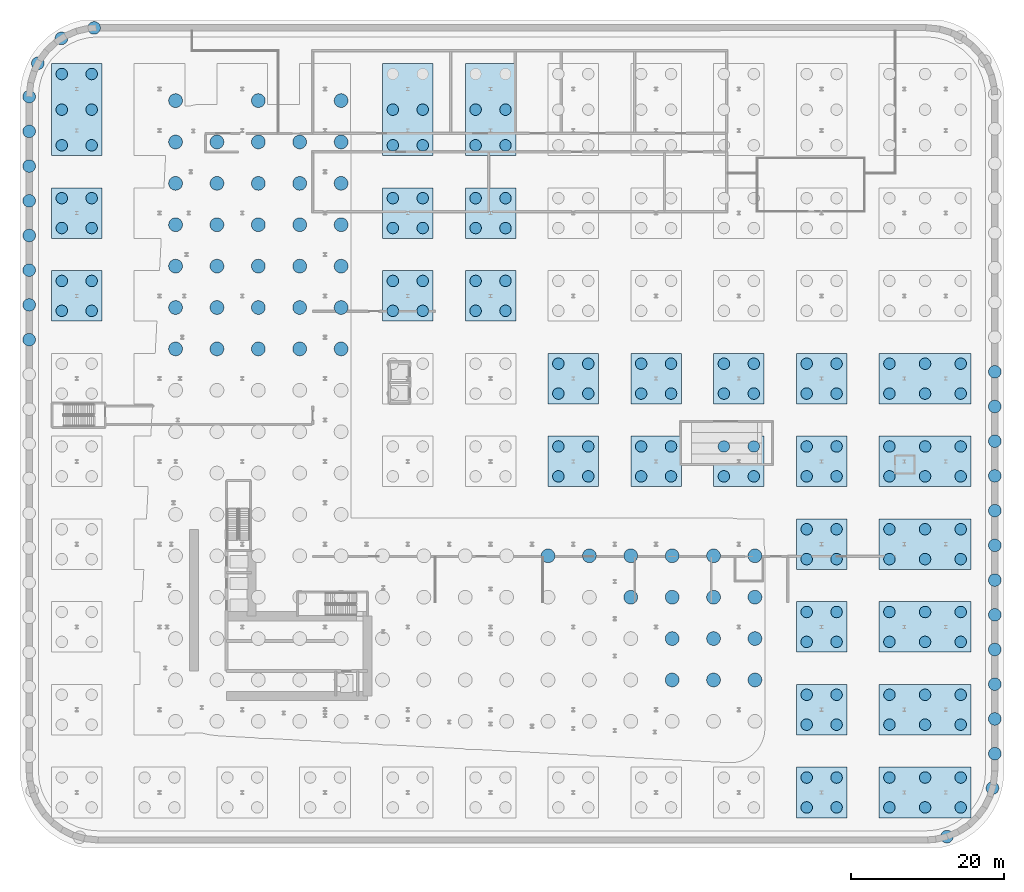
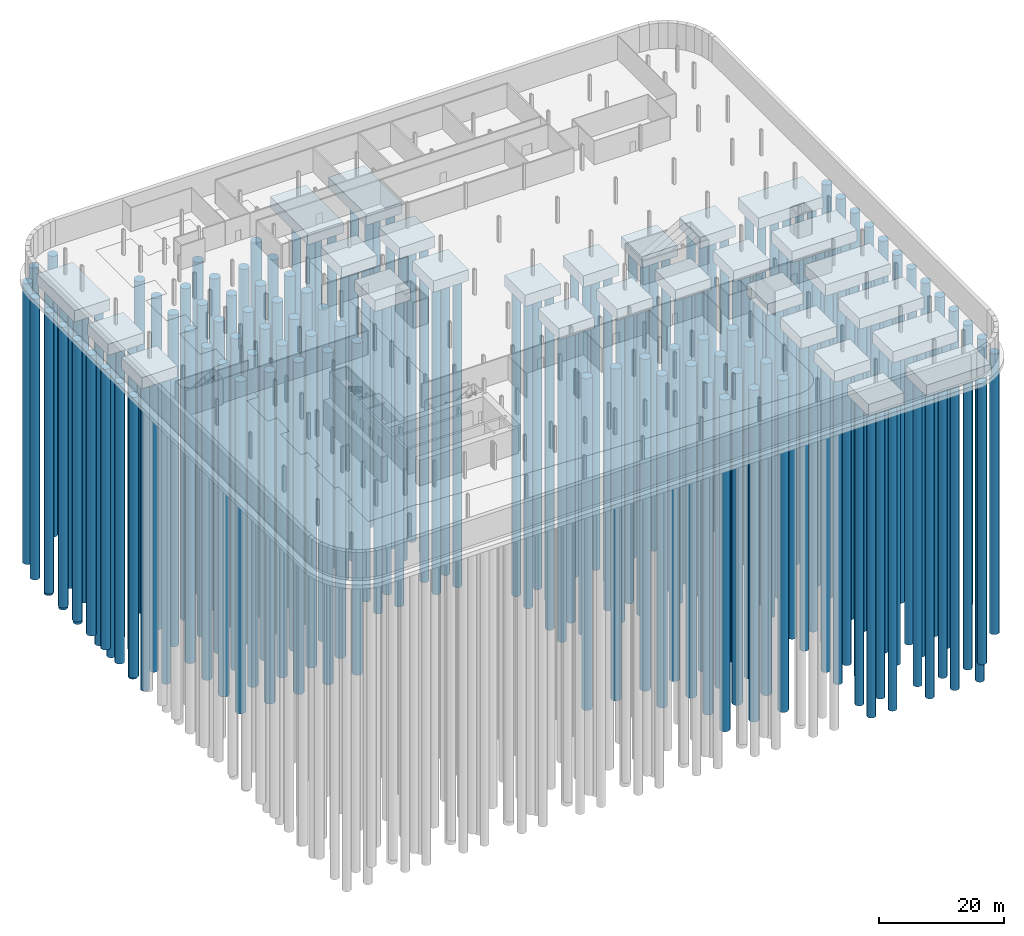
# One storey, part 2 of 23: 196 piles, 27 footings.
"""IFC4 building model written with IfcOpenShell, lengths in metres."""

from ifc_helpers import new_model, si_unit, direction, frame, origin, origin_2d, place, context, subcontext, project, spatial, polyline, rectangle, circle, outline, extrude, material, material_profile, profile_set, type_object, element, save


model = new_model("IFC4")

# Units and contexts
model_context = context("Model", 3, precision=1e-05, world=origin(), true_north=direction((0.0, 1.0)))
body_context = subcontext(model_context, "Body", "Model", "MODEL_VIEW")
ifc_project = project(units=[si_unit("LENGTHUNIT", "METRE"), si_unit("AREAUNIT", "SQUARE_METRE"), si_unit("VOLUMEUNIT", "CUBIC_METRE"), si_unit("PLANEANGLEUNIT", "RADIAN"), si_unit("MASSUNIT", "GRAM", prefix="KILO")], contexts=[model_context])

# Site, building, storey
site_placement = place(None, origin())
site = spatial("IfcSite", under=ifc_project, at=site_placement, CompositionType="ELEMENT")
building_placement = place(site_placement, origin())
building = spatial("IfcBuilding", under=site, at=building_placement, Name="Kheshtan School and Residences Tower", CompositionType="ELEMENT")
storey_placement = place(building_placement, frame((0.0, 0.0, -15.0)))
storey = spatial("IfcBuildingStorey", under=building, at=storey_placement, Name="B3", CompositionType="ELEMENT", Elevation=-15.0)

# Piles
ifc_material_1 = material(Name="Concrete C50/60", Category="concrete")
ifc_material_profile_1 = material_profile(ifc_material_1, circle(Radius=0.75, at=origin_2d()), Name="BP 1500")
ifc_profile_set_1 = profile_set([ifc_material_profile_1], Name="Concrete C50/60")
pile_type_1 = type_object("IfcPileType", Name="Bored pile 1500 Concrete C50/60", PredefinedType="BORED", material=ifc_profile_set_1)
for number, where, z_axis, x_axis, name in (
    (1, (13.25, 76.050048828125, -3.0), (0.0, 0.0, -1.0), (1.0, 0.0, 0.0), "Cap pile C015-1"),
    (2, (17.14990234375, 76.050048828125, -3.0), (0.0, 0.0, -1.0), (1.0, 0.0, 0.0), "Cap pile C015-2"),
    (3, (13.25, 79.949951171875, -3.0), (0.0, 0.0, -1.0), (1.0, 0.0, 0.0), "Cap pile C015-3"),
    (4, (17.14990234375, 79.949951171875, -3.0), (0.0, 0.0, -1.0), (1.0, 0.0, 0.0), "Cap pile C015-4"),
    (5, (56.449951171875, 76.050048828125, -3.0), (0.0, 0.0, -1.0), (1.0, 0.0, 0.0), "Cap pile C016-1"),
    (6, (60.35009765625, 76.050048828125, -3.0), (0.0, 0.0, -1.0), (1.0, 0.0, 0.0), "Cap pile C016-2"),
    (7, (56.449951171875, 79.949951171875, -3.0), (0.0, 0.0, -1.0), (1.0, 0.0, 0.0), "Cap pile C016-3"),
    (8, (60.35009765625, 79.949951171875, -3.0), (0.0, 0.0, -1.0), (1.0, 0.0, 0.0), "Cap pile C016-4"),
    (9, (67.25, 76.050048828125, -3.0), (0.0, 0.0, -1.0), (1.0, 0.0, 0.0), "Cap pile C017-1"),
    (10, (71.14990234375, 76.050048828125, -3.0), (0.0, 0.0, -1.0), (1.0, 0.0, 0.0), "Cap pile C017-2"),
    (11, (67.25, 79.949951171875, -3.0), (0.0, 0.0, -1.0), (1.0, 0.0, 0.0), "Cap pile C017-3"),
    (12, (71.14990234375, 79.949951171875, -3.0), (0.0, 0.0, -1.0), (1.0, 0.0, 0.0), "Cap pile C017-4"),
    (13, (13.25, 86.85009765625, -3.0), (0.0, 0.0, -1.0), (1.0, 0.0, 0.0), "Cap pile C018-1"),
    (14, (17.14990234375, 86.85009765625, -3.0), (0.0, 0.0, -1.0), (1.0, 0.0, 0.0), "Cap pile C018-2"),
    (15, (13.25, 90.75, -3.0), (0.0, 0.0, -1.0), (1.0, 0.0, 0.0), "Cap pile C018-3"),
    (16, (17.14990234375, 90.75, -3.0), (0.0, 0.0, -1.0), (1.0, 0.0, 0.0), "Cap pile C018-4"),
    (17, (56.449951171875, 86.85009765625, -3.0), (0.0, 0.0, -1.0), (1.0, 0.0, 0.0), "Cap pile C019-1"),
    (18, (60.35009765625, 86.85009765625, -3.0), (0.0, 0.0, -1.0), (1.0, 0.0, 0.0), "Cap pile C019-2"),
    (19, (56.449951171875, 90.75, -3.0), (0.0, 0.0, -1.0), (1.0, 0.0, 0.0), "Cap pile C019-3"),
    (20, (60.35009765625, 90.75, -3.0), (0.0, 0.0, -1.0), (1.0, 0.0, 0.0), "Cap pile C019-4"),
    (21, (67.25, 86.85009765625, -3.0), (0.0, 0.0, -1.0), (1.0, 0.0, 0.0), "Cap pile C020-1"),
    (22, (71.14990234375, 86.85009765625, -3.0), (0.0, 0.0, -1.0), (1.0, 0.0, 0.0), "Cap pile C020-2"),
    (23, (67.25, 90.75, -3.0), (0.0, 0.0, -1.0), (1.0, 0.0, 0.0), "Cap pile C020-3"),
    (24, (71.14990234375, 90.75, -3.0), (0.0, 0.0, -1.0), (1.0, 0.0, 0.0), "Cap pile C020-4"),
    (25, (13.25, 97.64990234375, -3.0), (0.0, 0.0, -1.0), (1.0, 0.0, 0.0), "Cap pile C021-1"),
    (26, (17.14990234375, 97.64990234375, -3.0), (0.0, 0.0, -1.0), (1.0, 0.0, 0.0), "Cap pile C021-2"),
    (27, (13.25, 106.949951171875, -3.0), (0.0, 0.0, -1.0), (1.0, 0.0, 0.0), "Cap pile C021-3"),
    (28, (17.14990234375, 106.949951171875, -3.0), (0.0, 0.0, -1.0), (1.0, 0.0, 0.0), "Cap pile C021-4"),
    (29, (13.25, 102.300048828125, -3.0), (0.0, 0.0, -1.0), (1.0, 0.0, 0.0), "Cap pile C021-5"),
    (30, (17.14990234375, 102.300048828125, -3.0), (0.0, 0.0, -1.0), (1.0, 0.0, 0.0), "Cap pile C021-6"),
    (31, (56.449951171875, 97.64990234375, -3.0), (0.0, 0.0, -1.0), (1.0, 0.0, 0.0), "Cap pile C022-1"),
    (32, (60.35009765625, 97.64990234375, -3.0), (0.0, 0.0, -1.0), (1.0, 0.0, 0.0), "Cap pile C022-2"),
    (33, (56.449951171875, 102.300048828125, -3.0), (0.0, 0.0, -1.0), (1.0, 0.0, 0.0), "Cap pile C022-5"),
    (34, (60.35009765625, 102.300048828125, -3.0), (0.0, 0.0, -1.0), (1.0, 0.0, 0.0), "Cap pile C022-6"),
    (35, (67.25, 97.64990234375, -3.0), (0.0, 0.0, -1.0), (1.0, 0.0, 0.0), "Cap pile C023-1"),
    (36, (71.14990234375, 97.64990234375, -3.0), (0.0, 0.0, -1.0), (1.0, 0.0, 0.0), "Cap pile C023-2"),
    (37, (67.25, 102.300048828125, -3.0), (0.0, 0.0, -1.0), (1.0, 0.0, 0.0), "Cap pile C023-5"),
    (38, (71.14990234375, 102.300048828125, -3.0), (0.0, 0.0, -1.0), (1.0, 0.0, 0.0), "Cap pile C023-6"),
    (39, (99.64990234375, 54.449951171875, -3.0), (0.0, 0.0, -1.0), (1.0, 0.0, 0.0), "Cap pile C028-1"),
    (40, (103.550048828125, 54.449951171875, -3.0), (0.0, 0.0, -1.0), (1.0, 0.0, 0.0), "Cap pile C028-2"),
    (41, (99.64990234375, 58.35009765625, -3.0), (0.0, 0.0, -1.0), (1.0, 0.0, 0.0), "Cap pile C028-3"),
    (42, (103.550048828125, 58.35009765625, -3.0), (0.0, 0.0, -1.0), (1.0, 0.0, 0.0), "Cap pile C028-4"),
    (43, (78.050048828125, 54.449951171875, -3.0), (0.0, 0.0, -1.0), (1.0, 0.0, 0.0), "Cap pile C029-1"),
    (44, (81.949951171875, 54.449951171875, -3.0), (0.0, 0.0, -1.0), (1.0, 0.0, 0.0), "Cap pile C029-2"),
    (45, (78.050048828125, 58.35009765625, -3.0), (0.0, 0.0, -1.0), (1.0, 0.0, 0.0), "Cap pile C029-3"),
    (46, (81.949951171875, 58.35009765625, -3.0), (0.0, 0.0, -1.0), (1.0, 0.0, 0.0), "Cap pile C029-4"),
    (47, (88.85009765625, 54.449951171875, -3.0), (0.0, 0.0, -1.0), (1.0, 0.0, 0.0), "Cap pile C030-1"),
    (48, (92.75, 54.449951171875, -3.0), (0.0, 0.0, -1.0), (1.0, 0.0, 0.0), "Cap pile C030-2"),
    (49, (88.85009765625, 58.35009765625, -3.0), (0.0, 0.0, -1.0), (1.0, 0.0, 0.0), "Cap pile C030-3"),
    (50, (92.75, 58.35009765625, -3.0), (0.0, 0.0, -1.0), (1.0, 0.0, 0.0), "Cap pile C030-4"),
    (51, (99.64990234375, 65.25, -3.0), (0.0, 0.0, -1.0), (1.0, 0.0, 0.0), "Cap pile C031-1"),
    (52, (103.550048828125, 65.25, -3.0), (0.0, 0.0, -1.0), (1.0, 0.0, 0.0), "Cap pile C031-2"),
    (53, (99.64990234375, 69.14990234375, -3.0), (0.0, 0.0, -1.0), (1.0, 0.0, 0.0), "Cap pile C031-3"),
    (54, (103.550048828125, 69.14990234375, -3.0), (0.0, 0.0, -1.0), (1.0, 0.0, 0.0), "Cap pile C031-4"),
    (55, (78.050048828125, 65.25, -3.0), (0.0, 0.0, -1.0), (1.0, 0.0, 0.0), "Cap pile C032-1"),
    (56, (81.949951171875, 65.25, -3.0), (0.0, 0.0, -1.0), (1.0, 0.0, 0.0), "Cap pile C032-2"),
    (57, (78.050048828125, 69.14990234375, -3.0), (0.0, 0.0, -1.0), (1.0, 0.0, 0.0), "Cap pile C032-3"),
    (58, (81.949951171875, 69.14990234375, -3.0), (0.0, 0.0, -1.0), (1.0, 0.0, 0.0), "Cap pile C032-4"),
    (59, (88.85009765625, 65.25, -3.0), (0.0, 0.0, -1.0), (1.0, 0.0, 0.0), "Cap pile C033-1"),
    (60, (92.75, 65.25, -3.0), (0.0, 0.0, -1.0), (1.0, 0.0, 0.0), "Cap pile C033-2"),
    (61, (88.85009765625, 69.14990234375, -3.0), (0.0, 0.0, -1.0), (1.0, 0.0, 0.0), "Cap pile C033-3"),
    (62, (92.75, 69.14990234375, -3.0), (0.0, 0.0, -1.0), (1.0, 0.0, 0.0), "Cap pile C033-4"),
    (63, (110.449951171875, 11.25, -3.0), (0.0, 0.0, -1.0), (1.0, 0.0, 0.0), "Cap pile C046-1"),
    (64, (114.35009765625, 11.25, -3.0), (0.0, 0.0, -1.0), (1.0, 0.0, 0.0), "Cap pile C046-2"),
    (65, (110.449951171875, 15.14990234375, -3.0), (0.0, 0.0, -1.0), (1.0, 0.0, 0.0), "Cap pile C046-3"),
    (66, (114.35009765625, 15.14990234375, -3.0), (0.0, 0.0, -1.0), (1.0, 0.0, 0.0), "Cap pile C046-4"),
    (67, (121.25, 11.25, -3.0), (0.0, 0.0, -1.0), (1.0, 0.0, 0.0), "Cap pile C047-1"),
    (68, (121.25, 15.14990234375, -3.0), (0.0, 0.0, -1.0), (1.0, 0.0, 0.0), "Cap pile C047-2"),
    (69, (130.550048828125, 11.25, -3.0), (0.0, 0.0, -1.0), (1.0, 0.0, 0.0), "Cap pile C047-3"),
    (70, (130.550048828125, 15.14990234375, -3.0), (0.0, 0.0, -1.0), (1.0, 0.0, 0.0), "Cap pile C047-4"),
    (71, (125.89990234375, 11.25, -3.0), (0.0, 0.0, -1.0), (1.0, 0.0, 0.0), "Cap pile C047-5"),
    (72, (125.89990234375, 15.14990234375, -3.0), (0.0, 0.0, -1.0), (1.0, 0.0, 0.0), "Cap pile C047-6"),
    (73, (110.449951171875, 22.050048828125, -3.0), (0.0, 0.0, -1.0), (1.0, 0.0, 0.0), "Cap pile C048-1"),
    (74, (114.35009765625, 22.050048828125, -3.0), (0.0, 0.0, -1.0), (1.0, 0.0, 0.0), "Cap pile C048-2"),
    (75, (110.449951171875, 25.949951171875, -3.0), (0.0, 0.0, -1.0), (1.0, 0.0, 0.0), "Cap pile C048-3"),
    (76, (114.35009765625, 25.949951171875, -3.0), (0.0, 0.0, -1.0), (1.0, 0.0, 0.0), "Cap pile C048-4"),
    (77, (121.25, 22.050048828125, -3.0), (0.0, 0.0, -1.0), (1.0, 0.0, 0.0), "Cap pile C049-1"),
    (78, (121.25, 25.949951171875, -3.0), (0.0, 0.0, -1.0), (1.0, 0.0, 0.0), "Cap pile C049-2"),
    (79, (130.550048828125, 22.050048828125, -3.0), (0.0, 0.0, -1.0), (1.0, 0.0, 0.0), "Cap pile C049-3"),
    (80, (130.550048828125, 25.949951171875, -3.0), (0.0, 0.0, -1.0), (1.0, 0.0, 0.0), "Cap pile C049-4"),
    (81, (125.89990234375, 22.050048828125, -3.0), (0.0, 0.0, -1.0), (1.0, 0.0, 0.0), "Cap pile C049-5"),
    (82, (125.89990234375, 25.949951171875, -3.0), (0.0, 0.0, -1.0), (1.0, 0.0, 0.0), "Cap pile C049-6"),
    (83, (110.449951171875, 32.85009765625, -3.0), (0.0, 0.0, -1.0), (1.0, 0.0, 0.0), "Cap pile C050-1"),
    (84, (114.35009765625, 32.85009765625, -3.0), (0.0, 0.0, -1.0), (1.0, 0.0, 0.0), "Cap pile C050-2"),
    (85, (110.449951171875, 36.75, -3.0), (0.0, 0.0, -1.0), (1.0, 0.0, 0.0), "Cap pile C050-3"),
    (86, (114.35009765625, 36.75, -3.0), (0.0, 0.0, -1.0), (1.0, 0.0, 0.0), "Cap pile C050-4"),
    (87, (121.25, 32.85009765625, -3.0), (0.0, 0.0, -1.0), (1.0, 0.0, 0.0), "Cap pile C051-1"),
    (88, (121.25, 36.75, -3.0), (0.0, 0.0, -1.0), (1.0, 0.0, 0.0), "Cap pile C051-2"),
    (89, (130.550048828125, 32.85009765625, -3.0), (0.0, 0.0, -1.0), (1.0, 0.0, 0.0), "Cap pile C051-3"),
    (90, (130.550048828125, 36.75, -3.0), (0.0, 0.0, -1.0), (1.0, 0.0, 0.0), "Cap pile C051-4"),
    (91, (125.89990234375, 32.85009765625, -3.0), (0.0, 0.0, -1.0), (1.0, 0.0, 0.0), "Cap pile C051-5"),
    (92, (125.89990234375, 36.75, -3.0), (0.0, 0.0, -1.0), (1.0, 0.0, 0.0), "Cap pile C051-6"),
    (93, (110.449951171875, 43.64990234375, -3.0), (0.0, 0.0, -1.0), (1.0, 0.0, 0.0), "Cap pile C052-1"),
    (94, (114.35009765625, 43.64990234375, -3.0), (0.0, 0.0, -1.0), (1.0, 0.0, 0.0), "Cap pile C052-2"),
    (95, (110.449951171875, 47.550048828125, -3.0), (0.0, 0.0, -1.0), (1.0, 0.0, 0.0), "Cap pile C052-3"),
    (96, (114.35009765625, 47.550048828125, -3.0), (0.0, 0.0, -1.0), (1.0, 0.0, 0.0), "Cap pile C052-4"),
    (97, (121.25, 43.64990234375, -3.0), (0.0, 0.0, -1.0), (1.0, 0.0, 0.0), "Cap pile C053-1"),
    (98, (121.25, 47.550048828125, -3.0), (0.0, 0.0, -1.0), (1.0, 0.0, 0.0), "Cap pile C053-2"),
    (99, (130.550048828125, 43.64990234375, -3.0), (0.0, 0.0, -1.0), (1.0, 0.0, 0.0), "Cap pile C053-3"),
    (100, (130.550048828125, 47.550048828125, -3.0), (0.0, 0.0, -1.0), (1.0, 0.0, 0.0), "Cap pile C053-4"),
    (101, (125.89990234375, 43.64990234375, -3.0), (0.0, 0.0, -1.0), (1.0, 0.0, 0.0), "Cap pile C053-5"),
    (102, (125.89990234375, 47.550048828125, -3.0), (0.0, 0.0, -1.0), (1.0, 0.0, 0.0), "Cap pile C053-6"),
    (103, (121.25, 54.449951171875, -3.0), (0.0, 0.0, -1.0), (1.0, 0.0, 0.0), "Cap pile C054-1"),
    (104, (121.25, 58.35009765625, -3.0), (0.0, 0.0, -1.0), (1.0, 0.0, 0.0), "Cap pile C054-2"),
    (105, (130.550048828125, 54.449951171875, -3.0), (0.0, 0.0, -1.0), (1.0, 0.0, 0.0), "Cap pile C054-3"),
    (106, (130.550048828125, 58.35009765625, -3.0), (0.0, 0.0, -1.0), (1.0, 0.0, 0.0), "Cap pile C054-4"),
    (107, (125.89990234375, 54.449951171875, -3.0), (0.0, 0.0, -1.0), (1.0, 0.0, 0.0), "Cap pile C054-5"),
    (108, (125.89990234375, 58.35009765625, -3.0), (0.0, 0.0, -1.0), (1.0, 0.0, 0.0), "Cap pile C054-6"),
    (109, (110.449951171875, 54.449951171875, -3.0), (0.0, 0.0, -1.0), (1.0, 0.0, 0.0), "Cap pile C055-1"),
    (110, (114.35009765625, 54.449951171875, -3.0), (0.0, 0.0, -1.0), (1.0, 0.0, 0.0), "Cap pile C055-2"),
    (111, (110.449951171875, 58.35009765625, -3.0), (0.0, 0.0, -1.0), (1.0, 0.0, 0.0), "Cap pile C055-3"),
    (112, (114.35009765625, 58.35009765625, -3.0), (0.0, 0.0, -1.0), (1.0, 0.0, 0.0), "Cap pile C055-4"),
    (113, (121.25, 65.25, -3.0), (0.0, 0.0, -1.0), (1.0, 0.0, 0.0), "Cap pile C056-1"),
    (114, (121.25, 69.14990234375, -3.0), (0.0, 0.0, -1.0), (1.0, 0.0, 0.0), "Cap pile C056-2"),
    (115, (130.550048828125, 65.25, -3.0), (0.0, 0.0, -1.0), (1.0, 0.0, 0.0), "Cap pile C056-3"),
    (116, (130.550048828125, 69.14990234375, -3.0), (0.0, 0.0, -1.0), (1.0, 0.0, 0.0), "Cap pile C056-4"),
    (117, (125.89990234375, 65.25, -3.0), (0.0, 0.0, -1.0), (1.0, 0.0, 0.0), "Cap pile C056-5"),
    (118, (125.89990234375, 69.14990234375, -3.0), (0.0, 0.0, -1.0), (1.0, 0.0, 0.0), "Cap pile C056-6"),
    (119, (110.449951171875, 65.25, -3.0), (0.0, 0.0, -1.0), (1.0, 0.0, 0.0), "Cap pile C057-1"),
    (120, (114.35009765625, 65.25, -3.0), (0.0, 0.0, -1.0), (1.0, 0.0, 0.0), "Cap pile C057-2"),
    (121, (110.449951171875, 69.14990234375, -3.0), (0.0, 0.0, -1.0), (1.0, 0.0, 0.0), "Cap pile C057-3"),
    (122, (114.35009765625, 69.14990234375, -3.0), (0.0, 0.0, -1.0), (1.0, 0.0, 0.0), "Cap pile C057-4"),
):
    element("IfcPile", number, at=place(storey_placement, frame(where, z_axis=z_axis, x_axis=x_axis)), inside=storey, type_object=pile_type_1, Name=name, PredefinedType="BORED", context=body_context, shape_type="SweptSolid", body=[
        extrude(circle(Radius=0.75, at=origin_2d()), origin(), (0.0, 0.0, 1.0), 60.0),
    ])
ifc_material_profile_2 = material_profile(ifc_material_1, circle(Radius=0.824951171875, at=origin_2d()), Name="BP 1650")
ifc_profile_set_2 = profile_set([ifc_material_profile_2], Name="Concrete C50/60")
pile_type_2 = type_object("IfcPileType", Name="Bored pile 1650 Concrete C50/60", PredefinedType="BORED", material=ifc_profile_set_2)
for number, where, z_axis, x_axis, name in (
    (123, (9.0, 104.0, -1.60009765625), (0.0, 0.0, -1.0), (1.0, 0.0, 0.0), "Wall pile W1-000"),
    (124, (10.127197265625, 108.34130859375, -1.60009765625), (0.0, 0.0, -1.0), (1.0, 0.0, 0.0), "Wall pile W1-001"),
    (125, (13.2041015625, 111.6015625, -1.60009765625), (0.0, 0.0, -1.0), (1.0, 0.0, 0.0), "Wall pile W1-002"),
    (126, (17.471435546875, 112.965576171875, -1.60009765625), (0.0, 0.0, -1.0), (1.0, 0.0, 0.0), "Wall pile W1-003"),
    (127, (135.0, 68.09619140625, -1.60009765625), (0.0, 0.0, -1.0), (1.0, 0.0, 0.0), "Wall pile W1-038"),
    (128, (135.0, 63.566162109375, -1.60009765625), (0.0, 0.0, -1.0), (1.0, 0.0, 0.0), "Wall pile W1-039"),
    (129, (135.0, 59.035888671875, -1.60009765625), (0.0, 0.0, -1.0), (1.0, 0.0, 0.0), "Wall pile W1-040"),
    (130, (135.0, 54.505859375, -1.60009765625), (0.0, 0.0, -1.0), (1.0, 0.0, 0.0), "Wall pile W1-041"),
    (131, (135.0, 49.975830078125, -1.60009765625), (0.0, 0.0, -1.0), (1.0, 0.0, 0.0), "Wall pile W1-042"),
    (132, (135.0, 45.44580078125, -1.60009765625), (0.0, 0.0, -1.0), (1.0, 0.0, 0.0), "Wall pile W1-043"),
    (133, (135.0, 40.91552734375, -1.60009765625), (0.0, 0.0, -1.0), (1.0, 0.0, 0.0), "Wall pile W1-044"),
    (134, (135.0, 36.385498046875, -1.60009765625), (0.0, 0.0, -1.0), (1.0, 0.0, 0.0), "Wall pile W1-045"),
    (135, (135.0, 31.85546875, -1.60009765625), (0.0, 0.0, -1.0), (1.0, 0.0, 0.0), "Wall pile W1-046"),
    (136, (135.0, 27.3251953125, -1.60009765625), (0.0, 0.0, -1.0), (1.0, 0.0, 0.0), "Wall pile W1-047"),
    (137, (135.0, 22.795166015625, -1.60009765625), (0.0, 0.0, -1.0), (1.0, 0.0, 0.0), "Wall pile W1-048"),
    (138, (135.0, 18.26513671875, -1.60009765625), (0.0, 0.0, -1.0), (1.0, 0.0, 0.0), "Wall pile W1-049"),
    (139, (134.694580078125, 13.761962890625, -1.60009765625), (0.0, 0.0, -1.0), (1.0, 0.0, 0.0), "Wall pile W1-050"),
    (140, (128.749755859375, 7.442626953125, -1.60009765625), (0.0, 0.0, -1.0), (1.0, 0.0, 0.0), "Wall pile W1-052"),
    (141, (9.0, 72.289306640625, -1.60009765625), (0.0, 0.0, -1.0), (1.0, 0.0, 0.0), "Wall pile W1-092"),
    (142, (9.0, 76.8193359375, -1.60009765625), (0.0, 0.0, -1.0), (1.0, 0.0, 0.0), "Wall pile W1-093"),
    (143, (9.0, 81.349609375, -1.60009765625), (0.0, 0.0, -1.0), (1.0, 0.0, 0.0), "Wall pile W1-094"),
    (144, (9.0, 85.879638671875, -1.60009765625), (0.0, 0.0, -1.0), (1.0, 0.0, 0.0), "Wall pile W1-095"),
    (145, (9.0, 90.40966796875, -1.60009765625), (0.0, 0.0, -1.0), (1.0, 0.0, 0.0), "Wall pile W1-096"),
    (146, (9.0, 94.939697265625, -1.60009765625), (0.0, 0.0, -1.0), (1.0, 0.0, 0.0), "Wall pile W1-097"),
    (147, (9.0, 99.469970703125, -1.60009765625), (0.0, 0.0, -1.0), (1.0, 0.0, 0.0), "Wall pile W1-098"),
):
    element("IfcPile", number, at=place(storey_placement, frame(where, z_axis=z_axis, x_axis=x_axis)), inside=storey, type_object=pile_type_2, Name=name, PredefinedType="BORED", context=body_context, shape_type="SweptSolid", body=[
        extrude(circle(Radius=0.824951171875, at=origin_2d()), origin(), (0.0, 0.0, 1.0), 55.0),
    ])
ifc_material_profile_3 = material_profile(ifc_material_1, circle(Radius=0.89990234375, at=origin_2d()), Name="BP 1800")
ifc_profile_set_3 = profile_set([ifc_material_profile_3], Name="Concrete C50/60")
pile_type_3 = type_object("IfcPileType", Name="Bored pile 1800 Concrete C50/60", PredefinedType="BORED", material=ifc_profile_set_3)
for number, where, z_axis, x_axis, name in (
    (148, (92.89990234375, 27.882080078125, -4.5), (0.0, 0.0, -1.0), (1.0, 0.0, 0.0), "Raft pile R028"),
    (149, (98.300048828125, 27.882080078125, -4.5), (0.0, 0.0, -1.0), (1.0, 0.0, 0.0), "Raft pile R029"),
    (150, (103.699951171875, 27.882080078125, -4.5), (0.0, 0.0, -1.0), (1.0, 0.0, 0.0), "Raft pile R030"),
    (151, (92.89990234375, 33.281982421875, -4.5), (0.0, 0.0, -1.0), (1.0, 0.0, 0.0), "Raft pile R043"),
    (152, (98.300048828125, 33.281982421875, -4.5), (0.0, 0.0, -1.0), (1.0, 0.0, 0.0), "Raft pile R044"),
    (153, (103.699951171875, 33.281982421875, -4.5), (0.0, 0.0, -1.0), (1.0, 0.0, 0.0), "Raft pile R045"),
    (154, (87.5, 38.681884765625, -4.5), (0.0, 0.0, -1.0), (1.0, 0.0, 0.0), "Raft pile R057"),
    (155, (92.89990234375, 38.681884765625, -4.5), (0.0, 0.0, -1.0), (1.0, 0.0, 0.0), "Raft pile R058"),
    (156, (98.300048828125, 38.681884765625, -4.5), (0.0, 0.0, -1.0), (1.0, 0.0, 0.0), "Raft pile R059"),
    (157, (103.699951171875, 38.681884765625, -4.5), (0.0, 0.0, -1.0), (1.0, 0.0, 0.0), "Raft pile R060"),
    (158, (76.699951171875, 44.08203125, -4.5), (0.0, 0.0, -1.0), (1.0, 0.0, 0.0), "Raft pile R070"),
    (159, (82.10009765625, 44.08203125, -4.5), (0.0, 0.0, -1.0), (1.0, 0.0, 0.0), "Raft pile R071"),
    (160, (87.5, 44.08203125, -4.5), (0.0, 0.0, -1.0), (1.0, 0.0, 0.0), "Raft pile R072"),
    (161, (92.89990234375, 44.08203125, -4.5), (0.0, 0.0, -1.0), (1.0, 0.0, 0.0), "Raft pile R073"),
    (162, (98.300048828125, 44.08203125, -4.5), (0.0, 0.0, -1.0), (1.0, 0.0, 0.0), "Raft pile R074"),
    (163, (103.699951171875, 44.08203125, -4.5), (0.0, 0.0, -1.0), (1.0, 0.0, 0.0), "Raft pile R075"),
    (164, (28.10009765625, 71.08203125, -4.5), (0.0, 0.0, -1.0), (1.0, 0.0, 0.0), "Raft pile R096"),
    (165, (33.5, 71.08203125, -4.5), (0.0, 0.0, -1.0), (1.0, 0.0, 0.0), "Raft pile R097"),
    (166, (38.89990234375, 71.08203125, -4.5), (0.0, 0.0, -1.0), (1.0, 0.0, 0.0), "Raft pile R098"),
    (167, (44.300048828125, 71.08203125, -4.5), (0.0, 0.0, -1.0), (1.0, 0.0, 0.0), "Raft pile R099"),
    (168, (49.699951171875, 71.08203125, -4.5), (0.0, 0.0, -1.0), (1.0, 0.0, 0.0), "Raft pile R100"),
    (169, (28.10009765625, 76.48193359375, -4.5), (0.0, 0.0, -1.0), (1.0, 0.0, 0.0), "Raft pile R101"),
    (170, (33.5, 76.48193359375, -4.5), (0.0, 0.0, -1.0), (1.0, 0.0, 0.0), "Raft pile R102"),
    (171, (38.89990234375, 76.48193359375, -4.5), (0.0, 0.0, -1.0), (1.0, 0.0, 0.0), "Raft pile R103"),
    (172, (44.300048828125, 76.48193359375, -4.5), (0.0, 0.0, -1.0), (1.0, 0.0, 0.0), "Raft pile R104"),
    (173, (49.699951171875, 76.48193359375, -4.5), (0.0, 0.0, -1.0), (1.0, 0.0, 0.0), "Raft pile R105"),
    (174, (28.10009765625, 81.882080078125, -4.5), (0.0, 0.0, -1.0), (1.0, 0.0, 0.0), "Raft pile R106"),
    (175, (33.5, 81.882080078125, -4.5), (0.0, 0.0, -1.0), (1.0, 0.0, 0.0), "Raft pile R107"),
    (176, (38.89990234375, 81.882080078125, -4.5), (0.0, 0.0, -1.0), (1.0, 0.0, 0.0), "Raft pile R108"),
    (177, (44.300048828125, 81.882080078125, -4.5), (0.0, 0.0, -1.0), (1.0, 0.0, 0.0), "Raft pile R109"),
    (178, (49.699951171875, 81.882080078125, -4.5), (0.0, 0.0, -1.0), (1.0, 0.0, 0.0), "Raft pile R110"),
    (179, (28.10009765625, 87.281982421875, -4.5), (0.0, 0.0, -1.0), (1.0, 0.0, 0.0), "Raft pile R111"),
    (180, (33.5, 87.281982421875, -4.5), (0.0, 0.0, -1.0), (1.0, 0.0, 0.0), "Raft pile R112"),
    (181, (38.89990234375, 87.281982421875, -4.5), (0.0, 0.0, -1.0), (1.0, 0.0, 0.0), "Raft pile R113"),
    (182, (44.300048828125, 87.281982421875, -4.5), (0.0, 0.0, -1.0), (1.0, 0.0, 0.0), "Raft pile R114"),
    (183, (49.699951171875, 87.281982421875, -4.5), (0.0, 0.0, -1.0), (1.0, 0.0, 0.0), "Raft pile R115"),
    (184, (28.10009765625, 92.681884765625, -4.5), (0.0, 0.0, -1.0), (1.0, 0.0, 0.0), "Raft pile R116"),
    (185, (33.5, 92.681884765625, -4.5), (0.0, 0.0, -1.0), (1.0, 0.0, 0.0), "Raft pile R117"),
    (186, (38.89990234375, 92.681884765625, -4.5), (0.0, 0.0, -1.0), (1.0, 0.0, 0.0), "Raft pile R118"),
    (187, (44.300048828125, 92.681884765625, -4.5), (0.0, 0.0, -1.0), (1.0, 0.0, 0.0), "Raft pile R119"),
    (188, (49.699951171875, 92.681884765625, -4.5), (0.0, 0.0, -1.0), (1.0, 0.0, 0.0), "Raft pile R120"),
    (189, (28.10009765625, 98.08203125, -4.5), (0.0, 0.0, -1.0), (1.0, 0.0, 0.0), "Raft pile R121"),
    (190, (33.5, 98.08203125, -4.5), (0.0, 0.0, -1.0), (1.0, 0.0, 0.0), "Raft pile R122"),
    (191, (38.89990234375, 98.08203125, -4.5), (0.0, 0.0, -1.0), (1.0, 0.0, 0.0), "Raft pile R123"),
    (192, (44.300048828125, 98.08203125, -4.5), (0.0, 0.0, -1.0), (1.0, 0.0, 0.0), "Raft pile R124"),
    (193, (49.699951171875, 98.08203125, -4.5), (0.0, 0.0, -1.0), (1.0, 0.0, 0.0), "Raft pile R125"),
    (194, (28.10009765625, 103.48193359375, -4.5), (0.0, 0.0, -1.0), (1.0, 0.0, 0.0), "Raft pile R126"),
    (195, (38.89990234375, 103.48193359375, -4.5), (0.0, 0.0, -1.0), (1.0, 0.0, 0.0), "Raft pile R127"),
    (196, (49.699951171875, 103.48193359375, -4.5), (0.0, 0.0, -1.0), (1.0, 0.0, 0.0), "Raft pile R128"),
):
    element("IfcPile", number, at=place(storey_placement, frame(where, z_axis=z_axis, x_axis=x_axis)), inside=storey, type_object=pile_type_3, Name=name, PredefinedType="BORED", context=body_context, shape_type="SweptSolid", body=[
        extrude(circle(Radius=0.89990234375, at=origin_2d()), origin(), (0.0, 0.0, 1.0), 65.0),
    ])

# Footings
ifc_material_2 = material(Name="Concrete C40/50", Category="concrete")
footing_type = type_object("IfcFootingType", Name="Pile cap 6600 x 6600 x 2200 Concrete C40/50", PredefinedType="PILE_CAP", material=ifc_material_2)
for number, where, z_axis, x_axis, name in (
    (197, (15.199951171875, 78.0, -3.0), (0.0, 0.0, 1.0), (1.0, 0.0, 0.0), "Pile cap 015"),
    (198, (58.39990234375, 78.0, -3.0), (0.0, 0.0, 1.0), (1.0, 0.0, 0.0), "Pile cap 016"),
    (199, (69.199951171875, 78.0, -3.0), (0.0, 0.0, 1.0), (1.0, 0.0, 0.0), "Pile cap 017"),
    (200, (15.199951171875, 88.800048828125, -3.0), (0.0, 0.0, 1.0), (1.0, 0.0, 0.0), "Pile cap 018"),
    (201, (58.39990234375, 88.800048828125, -3.0), (0.0, 0.0, 1.0), (1.0, 0.0, 0.0), "Pile cap 019"),
    (202, (69.199951171875, 88.800048828125, -3.0), (0.0, 0.0, 1.0), (1.0, 0.0, 0.0), "Pile cap 020"),
):
    element("IfcFooting", number, at=place(storey_placement, frame(where, z_axis=z_axis, x_axis=x_axis)), inside=storey, type_object=footing_type, Name=name, PredefinedType="PILE_CAP", context=body_context, shape_type="SweptSolid", body=[
        extrude(rectangle(XDim=6.60009765625, YDim=6.60009765625, at=origin_2d()), origin(), (0.0, 0.0, 1.0), 2.199951171875),
    ])
footing_1_placement = place(storey_placement, frame((0.0, 0.0, -3.0)))
element("IfcFooting", 203, at=footing_1_placement, inside=storey, type_object=footing_type, Name="Pile cap 021 (combined)", PredefinedType="PILE_CAP", context=body_context, shape_type="SweptSolid", body=[
    extrude(outline(polyline([(18.5, 102.89990234375), (18.5, 101.699951171875), (18.5, 96.300048828125), (11.89990234375, 96.300048828125), (11.89990234375, 101.699951171875), (11.89990234375, 102.89990234375), (11.89990234375, 108.300048828125), (18.5, 108.300048828125), (18.5, 102.89990234375)])), origin(), (0.0, 0.0, 1.0), 2.199951171875),
])
footing_2_placement = place(storey_placement, frame((0.0, 0.0, -3.0)))
element("IfcFooting", 204, at=footing_2_placement, inside=storey, type_object=footing_type, Name="Pile cap 022 (combined)", PredefinedType="PILE_CAP", context=body_context, shape_type="SweptSolid", body=[
    extrude(outline(polyline([(55.10009765625, 101.699951171875), (55.10009765625, 102.89990234375), (55.10009765625, 108.300048828125), (61.699951171875, 108.300048828125), (61.699951171875, 102.89990234375), (61.699951171875, 101.699951171875), (61.699951171875, 96.300048828125), (55.10009765625, 96.300048828125), (55.10009765625, 101.699951171875)])), origin(), (0.0, 0.0, 1.0), 2.199951171875),
])
footing_3_placement = place(storey_placement, frame((0.0, 0.0, -3.0)))
element("IfcFooting", 205, at=footing_3_placement, inside=storey, type_object=footing_type, Name="Pile cap 023 (combined)", PredefinedType="PILE_CAP", context=body_context, shape_type="SweptSolid", body=[
    extrude(outline(polyline([(65.89990234375, 101.699951171875), (65.89990234375, 102.89990234375), (65.89990234375, 108.300048828125), (72.5, 108.300048828125), (72.5, 102.89990234375), (72.5, 101.699951171875), (72.5, 96.300048828125), (65.89990234375, 96.300048828125), (65.89990234375, 101.699951171875)])), origin(), (0.0, 0.0, 1.0), 2.199951171875),
])
for number, where, z_axis, x_axis, name in (
    (206, (101.60009765625, 56.39990234375, -3.0), (0.0, 0.0, 1.0), (1.0, 0.0, 0.0), "Pile cap 028"),
    (207, (80.0, 56.39990234375, -3.0), (0.0, 0.0, 1.0), (1.0, 0.0, 0.0), "Pile cap 029"),
    (208, (90.800048828125, 56.39990234375, -3.0), (0.0, 0.0, 1.0), (1.0, 0.0, 0.0), "Pile cap 030"),
    (209, (101.60009765625, 67.199951171875, -3.0), (0.0, 0.0, 1.0), (1.0, 0.0, 0.0), "Pile cap 031"),
    (210, (80.0, 67.199951171875, -3.0), (0.0, 0.0, 1.0), (1.0, 0.0, 0.0), "Pile cap 032"),
    (211, (90.800048828125, 67.199951171875, -3.0), (0.0, 0.0, 1.0), (1.0, 0.0, 0.0), "Pile cap 033"),
    (212, (112.39990234375, 13.199951171875, -3.0), (0.0, 0.0, 1.0), (1.0, 0.0, 0.0), "Pile cap 046"),
):
    element("IfcFooting", number, at=place(storey_placement, frame(where, z_axis=z_axis, x_axis=x_axis)), inside=storey, type_object=footing_type, Name=name, PredefinedType="PILE_CAP", context=body_context, shape_type="SweptSolid", body=[
        extrude(rectangle(XDim=6.60009765625, YDim=6.60009765625, at=origin_2d()), origin(), (0.0, 0.0, 1.0), 2.199951171875),
    ])
footing_4_placement = place(storey_placement, frame((0.0, 0.0, -3.0)))
element("IfcFooting", 213, at=footing_4_placement, inside=storey, type_object=footing_type, Name="Pile cap 047 (combined)", PredefinedType="PILE_CAP", context=body_context, shape_type="SweptSolid", body=[
    extrude(outline(polyline([(119.89990234375, 16.5), (125.300048828125, 16.5), (126.5, 16.5), (131.89990234375, 16.5), (131.89990234375, 9.89990234375), (126.5, 9.89990234375), (125.300048828125, 9.89990234375), (119.89990234375, 9.89990234375), (119.89990234375, 16.5)])), origin(), (0.0, 0.0, 1.0), 2.199951171875),
])
footing_5_placement = place(storey_placement, frame((112.39990234375, 24.0, -3.0), z_axis=(0.0, 0.0, 1.0), x_axis=(1.0, 0.0, 0.0)))
element("IfcFooting", 214, at=footing_5_placement, inside=storey, type_object=footing_type, Name="Pile cap 048", PredefinedType="PILE_CAP", context=body_context, shape_type="SweptSolid", body=[
    extrude(rectangle(XDim=6.60009765625, YDim=6.60009765625, at=origin_2d()), origin(), (0.0, 0.0, 1.0), 2.199951171875),
])
footing_6_placement = place(storey_placement, frame((0.0, 0.0, -3.0)))
element("IfcFooting", 215, at=footing_6_placement, inside=storey, type_object=footing_type, Name="Pile cap 049 (combined)", PredefinedType="PILE_CAP", context=body_context, shape_type="SweptSolid", body=[
    extrude(outline(polyline([(125.300048828125, 27.300048828125), (126.5, 27.300048828125), (131.89990234375, 27.300048828125), (131.89990234375, 20.699951171875), (126.5, 20.699951171875), (125.300048828125, 20.699951171875), (119.89990234375, 20.699951171875), (119.89990234375, 27.300048828125), (125.300048828125, 27.300048828125)])), origin(), (0.0, 0.0, 1.0), 2.199951171875),
])
footing_7_placement = place(storey_placement, frame((112.39990234375, 34.800048828125, -3.0), z_axis=(0.0, 0.0, 1.0), x_axis=(1.0, 0.0, 0.0)))
element("IfcFooting", 216, at=footing_7_placement, inside=storey, type_object=footing_type, Name="Pile cap 050", PredefinedType="PILE_CAP", context=body_context, shape_type="SweptSolid", body=[
    extrude(rectangle(XDim=6.60009765625, YDim=6.60009765625, at=origin_2d()), origin(), (0.0, 0.0, 1.0), 2.199951171875),
])
footing_8_placement = place(storey_placement, frame((0.0, 0.0, -3.0)))
element("IfcFooting", 217, at=footing_8_placement, inside=storey, type_object=footing_type, Name="Pile cap 051 (combined)", PredefinedType="PILE_CAP", context=body_context, shape_type="SweptSolid", body=[
    extrude(outline(polyline([(125.300048828125, 31.5), (119.89990234375, 31.5), (119.89990234375, 38.10009765625), (125.300048828125, 38.10009765625), (126.5, 38.10009765625), (131.89990234375, 38.10009765625), (131.89990234375, 31.5), (126.5, 31.5), (125.300048828125, 31.5)])), origin(), (0.0, 0.0, 1.0), 2.199951171875),
])
footing_9_placement = place(storey_placement, frame((112.39990234375, 45.60009765625, -3.0), z_axis=(0.0, 0.0, 1.0), x_axis=(1.0, 0.0, 0.0)))
element("IfcFooting", 218, at=footing_9_placement, inside=storey, type_object=footing_type, Name="Pile cap 052", PredefinedType="PILE_CAP", context=body_context, shape_type="SweptSolid", body=[
    extrude(rectangle(XDim=6.60009765625, YDim=6.60009765625, at=origin_2d()), origin(), (0.0, 0.0, 1.0), 2.199951171875),
])
footing_10_placement = place(storey_placement, frame((0.0, 0.0, -3.0)))
element("IfcFooting", 219, at=footing_10_placement, inside=storey, type_object=footing_type, Name="Pile cap 053 (combined)", PredefinedType="PILE_CAP", context=body_context, shape_type="SweptSolid", body=[
    extrude(outline(polyline([(119.89990234375, 42.300048828125), (119.89990234375, 48.89990234375), (125.300048828125, 48.89990234375), (126.5, 48.89990234375), (131.89990234375, 48.89990234375), (131.89990234375, 42.300048828125), (126.5, 42.300048828125), (125.300048828125, 42.300048828125), (119.89990234375, 42.300048828125)])), origin(), (0.0, 0.0, 1.0), 2.199951171875),
])
footing_11_placement = place(storey_placement, frame((0.0, 0.0, -3.0)))
element("IfcFooting", 220, at=footing_11_placement, inside=storey, type_object=footing_type, Name="Pile cap 054 (combined)", PredefinedType="PILE_CAP", context=body_context, shape_type="SweptSolid", body=[
    extrude(outline(polyline([(131.89990234375, 53.10009765625), (126.5, 53.10009765625), (125.300048828125, 53.10009765625), (119.89990234375, 53.10009765625), (119.89990234375, 59.699951171875), (125.300048828125, 59.699951171875), (126.5, 59.699951171875), (131.89990234375, 59.699951171875), (131.89990234375, 53.10009765625)])), origin(), (0.0, 0.0, 1.0), 2.199951171875),
])
footing_12_placement = place(storey_placement, frame((112.39990234375, 56.39990234375, -3.0), z_axis=(0.0, 0.0, 1.0), x_axis=(1.0, 0.0, 0.0)))
element("IfcFooting", 221, at=footing_12_placement, inside=storey, type_object=footing_type, Name="Pile cap 055", PredefinedType="PILE_CAP", context=body_context, shape_type="SweptSolid", body=[
    extrude(rectangle(XDim=6.60009765625, YDim=6.60009765625, at=origin_2d()), origin(), (0.0, 0.0, 1.0), 2.199951171875),
])
footing_13_placement = place(storey_placement, frame((0.0, 0.0, -3.0)))
element("IfcFooting", 222, at=footing_13_placement, inside=storey, type_object=footing_type, Name="Pile cap 056 (combined)", PredefinedType="PILE_CAP", context=body_context, shape_type="SweptSolid", body=[
    extrude(outline(polyline([(119.89990234375, 70.5), (125.300048828125, 70.5), (126.5, 70.5), (131.89990234375, 70.5), (131.89990234375, 63.89990234375), (126.5, 63.89990234375), (125.300048828125, 63.89990234375), (119.89990234375, 63.89990234375), (119.89990234375, 70.5)])), origin(), (0.0, 0.0, 1.0), 2.199951171875),
])
footing_14_placement = place(storey_placement, frame((112.39990234375, 67.199951171875, -3.0), z_axis=(0.0, 0.0, 1.0), x_axis=(1.0, 0.0, 0.0)))
element("IfcFooting", 223, at=footing_14_placement, inside=storey, type_object=footing_type, Name="Pile cap 057", PredefinedType="PILE_CAP", context=body_context, shape_type="SweptSolid", body=[
    extrude(rectangle(XDim=6.60009765625, YDim=6.60009765625, at=origin_2d()), origin(), (0.0, 0.0, 1.0), 2.199951171875),
])

save(model, "model.ifc")
